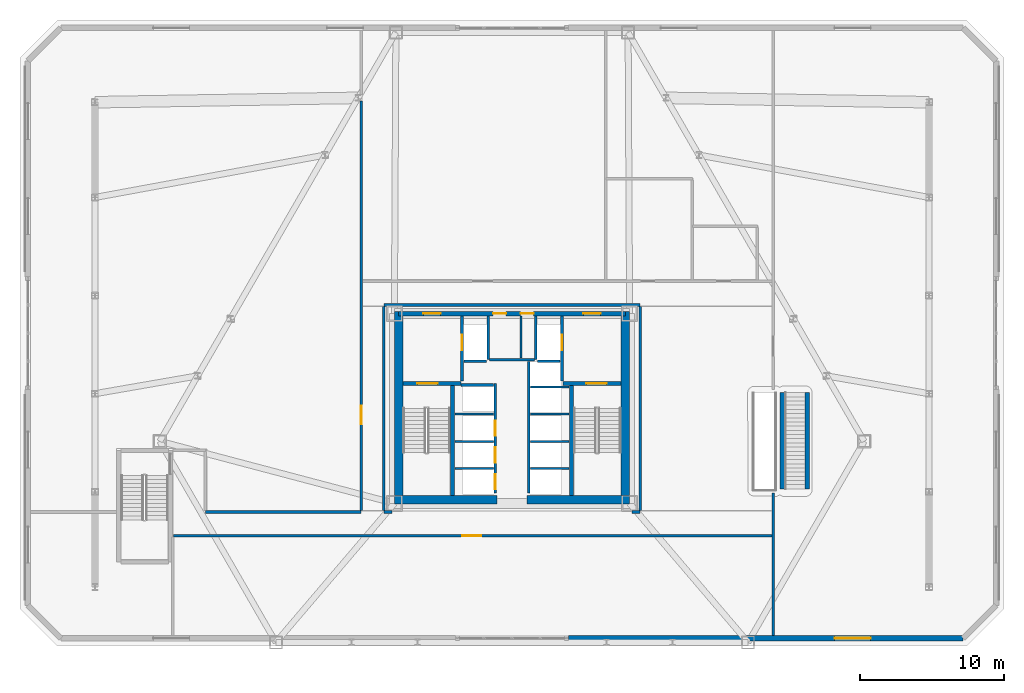
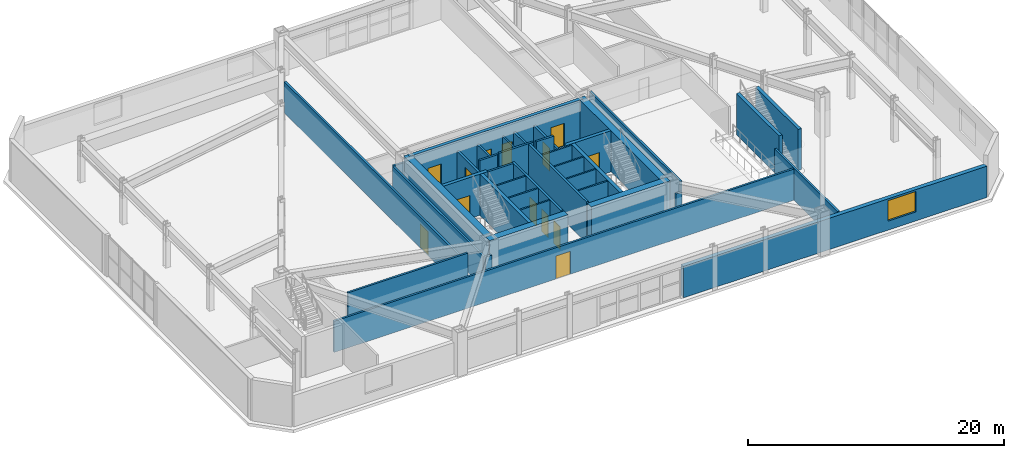
# One storey, part 14 of 22: 39 walls, 13 doors, 1 window, 14 openings.
"""IFC4 building model written with IfcOpenShell, lengths in metres."""

from ifc_helpers import new_model, si_unit, direction, frame, frame_2d, origin, place, context, subcontext, project, spatial, rectangle, extrude, material, layer, layer_set, type_object, element, fill, save


model = new_model("IFC4")

# Units and contexts
model_context = context("Model", 3, precision=1e-05, world=origin(), true_north=direction((0.0, 1.0)))
body_context = subcontext(model_context, "Body", "Model", "MODEL_VIEW")
ifc_project = project(units=[si_unit("LENGTHUNIT", "METRE"), si_unit("AREAUNIT", "SQUARE_METRE"), si_unit("VOLUMEUNIT", "CUBIC_METRE"), si_unit("PLANEANGLEUNIT", "RADIAN"), si_unit("MASSUNIT", "GRAM", prefix="KILO")], contexts=[model_context])

# Site, building, storey
site_placement = place(None, origin())
site = spatial("IfcSite", under=ifc_project, at=site_placement, CompositionType="ELEMENT")
building_placement = place(site_placement, origin())
building = spatial("IfcBuilding", under=site, at=building_placement, Name="Oramaril Tower", CompositionType="ELEMENT")
storey_placement = place(building_placement, frame((0.0, 0.0, 14.10009765625)))
storey = spatial("IfcBuildingStorey", under=building, at=storey_placement, Name="L03", CompositionType="ELEMENT", Elevation=14.10009765625)

# Wall, opening, window
ifc_material_1 = material(Name="Warm Cream Limestone", Category="masonry")
ifc_layer_1 = layer(ifc_material_1, 0.3798828125)
ifc_layer_set_1 = layer_set([ifc_layer_1], Name="WT-EXT38")
wall_type_1 = type_object("IfcWallType", Name="WT-EXT38", PredefinedType="SOLIDWALL", material=ifc_layer_set_1)
wall_1_placement = place(storey_placement, frame((41.39990234375, 1.64990234375, 0.0), z_axis=(0.0, 0.0, 1.0), x_axis=(1.0, 0.0, 0.0)))
wall_1 = element("IfcWall", 1, at=wall_1_placement, inside=storey, type_object=wall_type_1, Name="L03 Limestone Facade Wall EW-1B", PredefinedType="SOLIDWALL", context=body_context, shape_type="SweptSolid", body=[
    extrude(rectangle(XDim=27.372314453125, YDim=0.3798828125, at=frame_2d((13.68603515625, 0.0))), origin(), (0.0, 0.0, 1.0), 2.98291015625),
])
opening_1_placement = place(wall_1_placement, frame((18.4580078125, 0.0, 0.85009765625)))
opening_1 = element("IfcOpeningElement", 2, at=opening_1_placement, cuts=wall_1, Name="Opening WN-11", PredefinedType="OPENING", context=body_context, shape_type="SweptSolid", body=[
    extrude(rectangle(XDim=2.5, YDim=1.962890625, at=frame_2d((1.25, 0.9814453125))), frame((0.0, 0.18994140625, 0.0), z_axis=(0.0, -1.0, 0.0), x_axis=(1.0, 0.0, 0.0)), (0.0, 0.0, 1.0), 0.3798828125),
])
ifc_material_2 = material(Name="Coastal Low-E Insulated Glass", Category="glass")
window_type = type_object("IfcWindowType", Name="WNT-11", PartitioningType="SINGLE_PANEL", PredefinedType="WINDOW", material=ifc_material_2)
window_placement = place(opening_1_placement, origin())
window = element("IfcWindow", 3, at=window_placement, inside=storey, type_object=window_type, Name="L03 Podium Chicago Window", OverallHeight=1.962890625, OverallWidth=2.5, PartitioningType="SINGLE_PANEL", PredefinedType="WINDOW", context=body_context, shape_type="SweptSolid", body=[
    extrude(rectangle(XDim=2.5, YDim=1.962890625, at=frame_2d((1.25, 0.9814453125))), frame((0.0, 0.030029296875, 0.0), z_axis=(0.0, -1.0, 0.0), x_axis=(1.0, 0.0, 0.0)), (0.0, 0.0, 1.0), 0.06005859375),
])
fill(opening_1, window)

# Walls
ifc_material_3 = material(Name="Acoustic Gypsum Board Partition")
ifc_layer_2 = layer(ifc_material_3, 0.139892578125)
ifc_layer_set_2 = layer_set([ifc_layer_2], Name="WT-PT14")
wall_type_2 = type_object("IfcWallType", Name="WT-PT14", PredefinedType="PARTITIONING", material=ifc_layer_set_2)
for number, where, z_axis, x_axis, name in (
    (4, (33.56005859375, 13.419921875, 0.0), (0.0, 0.0, 1.0), (1.0, 0.0, 0.0), "L03 West Lift Divider"),
    (5, (33.56005859375, 15.27001953125, 0.0), (0.0, 0.0, 1.0), (1.0, 0.0, 0.0), "L03 West Lift Divider"),
    (6, (33.56005859375, 17.199951171875, 0.0), (0.0, 0.0, 1.0), (1.0, 0.0, 0.0), "L03 West Lift Divider"),
    (7, (38.780029296875, 13.419921875, 0.0), (0.0, 0.0, 1.0), (1.0, 0.0, 0.0), "L03 East Lift Divider"),
    (8, (38.780029296875, 15.27001953125, 0.0), (0.0, 0.0, 1.0), (1.0, 0.0, 0.0), "L03 East Lift Divider"),
    (9, (38.780029296875, 17.199951171875, 0.0), (0.0, 0.0, 1.0), (1.0, 0.0, 0.0), "L03 East Lift Divider"),
    (10, (38.780029296875, 19.050048828125, 0.0), (0.0, 0.0, 1.0), (1.0, 0.0, 0.0), "L03 East Lift Divider"),
):
    element("IfcWall", number, at=place(storey_placement, frame(where, z_axis=z_axis, x_axis=x_axis)), inside=storey, type_object=wall_type_2, Name=name, PredefinedType="PARTITIONING", context=body_context, shape_type="SweptSolid", body=[
        extrude(rectangle(XDim=2.659912109375, YDim=0.139892578125, at=frame_2d((1.330078125, 0.0))), origin(), (0.0, 0.0, 1.0), 3.919921875),
    ])
wall_2_placement = place(storey_placement, frame((38.110107421875, 21.06005859375, 0.0), z_axis=(0.0, 0.0, 1.0), x_axis=(0.0, 1.0, 0.0)))
element("IfcWall", 11, at=wall_2_placement, inside=storey, type_object=wall_type_2, Name="L03 Core Service Divider", PredefinedType="PARTITIONING", context=body_context, shape_type="SweptSolid", body=[
    extrude(rectangle(XDim=2.919921875, YDim=0.139892578125, at=frame_2d((1.4599609375, 0.0))), origin(), (0.0, 0.0, 1.0), 2.9599609375),
])
ifc_material_4 = material(Name="Autoclaved Cellular Concrete Block", Category="concrete")
ifc_layer_3 = layer(ifc_material_4, 0.179931640625)
ifc_layer_set_3 = layer_set([ifc_layer_3], Name="WT-PT18")
wall_type_3 = type_object("IfcWallType", Name="WT-PT18", PredefinedType="PARTITIONING", material=ifc_layer_set_3)
wall_3_placement = place(storey_placement, frame((35.840087890625, 20.9599609375, 0.0), z_axis=(0.0, 0.0, 1.0), x_axis=(0.0, 1.0, 0.0)))
element("IfcWall", 12, at=wall_3_placement, inside=storey, type_object=wall_type_3, Name="L03 FL-1 East Shaft Wall", PredefinedType="PARTITIONING", context=body_context, shape_type="SweptSolid", body=[
    extrude(rectangle(XDim=3.02001953125, YDim=0.179931640625, at=frame_2d((1.510009765625, 0.0))), origin(), (0.0, 0.0, 1.0), 2.9599609375),
])
wall_4_placement = place(storey_placement, frame((34.159912109375, 20.860107421875, 0.0), z_axis=(0.0, 0.0, 1.0), x_axis=(1.0, 0.0, 0.0)))
element("IfcWall", 13, at=wall_4_placement, inside=storey, type_object=wall_type_3, Name="L03 FL-1 South Shaft Wall", PredefinedType="PARTITIONING", context=body_context, shape_type="SweptSolid", body=[
    extrude(rectangle(XDim=1.580078125, YDim=0.179931640625, at=frame_2d((0.7900390625, 0.0))), origin(), (0.0, 0.0, 1.0), 3.919921875),
])
wall_5_placement = place(storey_placement, frame((39.159912109375, 20.9599609375, 0.0), z_axis=(0.0, 0.0, 1.0), x_axis=(0.0, 1.0, 0.0)))
element("IfcWall", 14, at=wall_5_placement, inside=storey, type_object=wall_type_3, Name="L03 FL-2 West Shaft Wall", PredefinedType="PARTITIONING", context=body_context, shape_type="SweptSolid", body=[
    extrude(rectangle(XDim=3.02001953125, YDim=0.179931640625, at=frame_2d((1.510009765625, 0.0))), origin(), (0.0, 0.0, 1.0), 2.9599609375),
])
wall_6_placement = place(storey_placement, frame((39.260009765625, 20.860107421875, 0.0), z_axis=(0.0, 0.0, 1.0), x_axis=(1.0, 0.0, 0.0)))
element("IfcWall", 15, at=wall_6_placement, inside=storey, type_object=wall_type_3, Name="L03 FL-2 South Shaft Wall", PredefinedType="PARTITIONING", context=body_context, shape_type="SweptSolid", body=[
    extrude(rectangle(XDim=1.580078125, YDim=0.179931640625, at=frame_2d((0.7900390625, 0.0))), origin(), (0.0, 0.0, 1.0), 3.919921875),
])
wall_7_placement = place(storey_placement, frame((33.949951171875, 19.199951171875, 0.0), z_axis=(0.0, 0.0, 1.0), x_axis=(1.0, 0.0, 0.0)))
element("IfcWall", 16, at=wall_7_placement, inside=storey, type_object=wall_type_3, Name="L03 High-Rise Lift H1 North Shaft Wall", PredefinedType="PARTITIONING", context=body_context, shape_type="SweptSolid", body=[
    extrude(rectangle(XDim=2.27001953125, YDim=0.179931640625, at=frame_2d((1.135009765625, 0.0))), origin(), (0.0, 0.0, 1.0), 3.919921875),
])
wall_8_placement = place(storey_placement, frame((35.949951171875, 20.949951171875, 0.0), z_axis=(0.0, 0.0, 1.0), x_axis=(1.0, 0.0, 0.0)))
element("IfcWall", 17, at=wall_8_placement, inside=storey, type_object=wall_type_3, Name="L03 Lift Lobby North Partition", PredefinedType="PARTITIONING", context=body_context, shape_type="SweptSolid", body=[
    extrude(rectangle(XDim=3.10009765625, YDim=0.179931640625, at=frame_2d((1.550048828125, 0.0))), origin(), (0.0, 0.0, 1.0), 3.919921875),
])

# Wall, opening, door
wall_9_placement = place(storey_placement, frame((14.030029296875, 8.75, 0.0), z_axis=(0.0, 0.0, 1.0), x_axis=(1.0, 0.0, 0.0)))
wall_9 = element("IfcWall", 18, at=wall_9_placement, inside=storey, type_object=wall_type_3, Name="L03 Interior Partition PT-18", PredefinedType="PARTITIONING", context=body_context, shape_type="SweptSolid", body=[
    extrude(rectangle(XDim=41.570068359375, YDim=0.179931640625, at=frame_2d((20.78515625, 0.0))), origin(), (0.0, 0.0, 1.0), 2.98291015625),
])
opening_2_placement = place(wall_9_placement, frame((20.034912109375, 0.0, 0.0)))
opening_2 = element("IfcOpeningElement", 19, at=opening_2_placement, cuts=wall_9, Name="Opening D-L03-01", PredefinedType="OPENING", context=body_context, shape_type="SweptSolid", body=[
    extrude(rectangle(XDim=1.300048828125, YDim=2.199951171875, at=frame_2d((0.64990234375, 1.10009765625))), frame((0.0, 0.08984375, 0.0), z_axis=(0.0, -1.0, 0.0), x_axis=(1.0, 0.0, 0.0)), (0.0, 0.0, 1.0), 0.179931640625),
])
ifc_material_5 = material(Name="FSC Brazilian Freijo Hardwood", Category="wood")
door_type_1 = type_object("IfcDoorType", Name="DT-COM", OperationType="NOTDEFINED", PredefinedType="DOOR", material=ifc_material_5)
door_1_placement = place(opening_2_placement, origin())
door_1 = element("IfcDoor", 20, at=door_1_placement, inside=storey, type_object=door_type_1, Name="L03 L03 Coastal Fitness Studio and Gym Door D-L03-01", OperationType="SINGLE_SWING_LEFT", OverallHeight=2.199951171875, OverallWidth=1.300048828125, PredefinedType="DOOR", context=body_context, shape_type="SweptSolid", body=[
    extrude(rectangle(XDim=1.300048828125, YDim=2.199951171875, at=frame_2d((0.64990234375, 1.10009765625))), frame((0.0, 0.02490234375, 0.0), z_axis=(0.0, -1.0, 0.0), x_axis=(1.0, 0.0, 0.0)), (0.0, 0.0, 1.0), 0.050048828125),
])
fill(opening_2, door_1)

# Walls
wall_10_placement = place(storey_placement, frame((16.25, 10.39990234375, 0.0), z_axis=(0.0, 0.0, 1.0), x_axis=(1.0, 0.0, 0.0)))
element("IfcWall", 21, at=wall_10_placement, inside=storey, type_object=wall_type_3, Name="L03 Interior Partition PT-18", PredefinedType="PARTITIONING", context=body_context, shape_type="SweptSolid", body=[
    extrude(rectangle(XDim=10.800048828125, YDim=0.179931640625, at=frame_2d((5.39990234375, 0.0))), origin(), (0.0, 0.0, 1.0), 3.919921875),
])
for number, where, z_axis, x_axis, name in (
    (22, (28.6201171875, 10.39990234375, 0.0), (0.0, 0.0, 1.0), (1.0, 0.0, 0.0), "L03 Interior Partition PT-18"),
    (23, (45.800048828125, 10.39990234375, 0.0), (0.0, 0.0, 1.0), (1.0, 0.0, 0.0), "L03 Interior Partition PT-18"),
):
    element("IfcWall", number, at=place(storey_placement, frame(where, z_axis=z_axis, x_axis=x_axis)), inside=storey, type_object=wall_type_3, Name=name, PredefinedType="PARTITIONING", context=body_context, shape_type="SweptSolid", body=[
        extrude(rectangle(XDim=0.579833984375, YDim=0.179931640625, at=frame_2d((0.2900390625, 0.0))), origin(), (0.0, 0.0, 1.0), 2.98291015625),
    ])
wall_11_placement = place(storey_placement, frame((28.6201171875, 24.75, 0.0), z_axis=(0.0, 0.0, 1.0), x_axis=(1.0, 0.0, 0.0)))
element("IfcWall", 24, at=wall_11_placement, inside=storey, type_object=wall_type_3, Name="L03 Interior Partition PT-18", PredefinedType="PARTITIONING", context=body_context, shape_type="SweptSolid", body=[
    extrude(rectangle(XDim=17.759765625, YDim=0.179931640625, at=frame_2d((8.8798828125, 0.0))), origin(), (0.0, 0.0, 1.0), 2.98291015625),
])

# Wall, opening, door
wall_12_placement = place(storey_placement, frame((27.050048828125, 10.493896484375, 0.0), z_axis=(0.0, 0.0, 1.0), x_axis=(0.0, 1.0, 0.0)))
wall_12 = element("IfcWall", 25, at=wall_12_placement, inside=storey, type_object=wall_type_3, Name="L03 Interior Partition PT-18", PredefinedType="PARTITIONING", context=body_context, shape_type="SweptSolid", body=[
    extrude(rectangle(XDim=28.3857421875, YDim=0.179931640625, at=frame_2d((14.19287109375, 0.0))), origin(), (0.0, 0.0, 1.0), 2.98291015625),
])
opening_3_placement = place(wall_12_placement, frame((5.9853515625, 0.0, 0.0)))
opening_3 = element("IfcOpeningElement", 26, at=opening_3_placement, cuts=wall_12, Name="Opening D-L03-05", PredefinedType="OPENING", context=body_context, shape_type="SweptSolid", body=[
    extrude(rectangle(XDim=1.300048828125, YDim=2.199951171875, at=frame_2d((0.64990234375, 1.10009765625))), frame((0.0, 0.08984375, 0.0), z_axis=(0.0, -1.0, 0.0), x_axis=(1.0, 0.0, 0.0)), (0.0, 0.0, 1.0), 0.179931640625),
])
door_2_placement = place(opening_3_placement, origin())
door_2 = element("IfcDoor", 27, at=door_2_placement, inside=storey, type_object=door_type_1, Name="L03 L03 Hydrotherapy Spa Suite Door D-L03-05", OperationType="SINGLE_SWING_LEFT", OverallHeight=2.199951171875, OverallWidth=1.300048828125, PredefinedType="DOOR", context=body_context, shape_type="SweptSolid", body=[
    extrude(rectangle(XDim=1.300048828125, YDim=2.199951171875, at=frame_2d((0.64990234375, 1.10009765625))), frame((0.0, 0.02490234375, 0.0), z_axis=(0.0, -1.0, 0.0), x_axis=(1.0, 0.0, 0.0)), (0.0, 0.0, 1.0), 0.050048828125),
])
fill(opening_3, door_2)

# Walls
wall_13_placement = place(storey_placement, frame((28.6201171875, 10.493896484375, 0.0), z_axis=(0.0, 0.0, 1.0), x_axis=(0.0, 1.0, 0.0)))
element("IfcWall", 28, at=wall_13_placement, inside=storey, type_object=wall_type_3, Name="L03 Interior Partition PT-18", PredefinedType="PARTITIONING", context=body_context, shape_type="SweptSolid", body=[
    extrude(rectangle(XDim=14.162109375, YDim=0.179931640625, at=frame_2d((7.0810546875, 0.0))), origin(), (0.0, 0.0, 1.0), 2.98291015625),
])
wall_14_placement = place(storey_placement, frame((46.3798828125, 10.493896484375, 0.0), z_axis=(0.0, 0.0, 1.0), x_axis=(0.0, 1.0, 0.0)))
element("IfcWall", 29, at=wall_14_placement, inside=storey, type_object=wall_type_3, Name="L03 Interior Partition PT-18", PredefinedType="PARTITIONING", context=body_context, shape_type="SweptSolid", body=[
    extrude(rectangle(XDim=14.162109375, YDim=0.179931640625, at=frame_2d((7.0810546875, 0.0))), origin(), (0.0, 0.0, 1.0), 3.919921875),
])
wall_15_placement = place(storey_placement, frame((55.60009765625, 1.843994140625, 0.0), z_axis=(0.0, 0.0, 1.0), x_axis=(0.0, 1.0, 0.0)))
element("IfcWall", 30, at=wall_15_placement, inside=storey, type_object=wall_type_3, Name="L03 Interior Partition PT-18", PredefinedType="PARTITIONING", context=body_context, shape_type="SweptSolid", body=[
    extrude(rectangle(XDim=9.885986328125, YDim=0.179931640625, at=frame_2d((4.94287109375, 0.0))), origin(), (0.0, 0.0, 1.0), 3.053955078125),
])

# Wall, openings, doors
ifc_material_6 = material(Name="Concrete C50/60", Category="concrete")
ifc_layer_4 = layer(ifc_material_6, 0.300048828125)
ifc_layer_set_4 = layer_set([ifc_layer_4], Name="WT-SH30")
wall_type_4 = type_object("IfcWallType", Name="WT-SH30", PredefinedType="SHEAR", material=ifc_layer_set_4)
wall_16_placement = place(storey_placement, frame((29.64990234375, 24.14990234375, 0.0), z_axis=(0.0, 0.0, 1.0), x_axis=(1.0, 0.0, 0.0)))
wall_16 = element("IfcWall", 31, at=wall_16_placement, inside=storey, type_object=wall_type_4, Name="L03 Core Shear Wall CW-N", PredefinedType="SHEAR", context=body_context, shape_type="SweptSolid", body=[
    extrude(rectangle(XDim=15.7001953125, YDim=0.300048828125, at=frame_2d((7.85009765625, 0.0))), origin(), (0.0, 0.0, 1.0), 3.919921875),
])
opening_4_placement = place(wall_16_placement, frame((1.699951171875, 0.0, 0.0)))
opening_4 = element("IfcOpeningElement", 32, at=opening_4_placement, cuts=wall_16, Name="Opening D-L03-FFL1", PredefinedType="OPENING", context=body_context, shape_type="SweptSolid", body=[
    extrude(rectangle(XDim=1.199951171875, YDim=2.199951171875, at=frame_2d((0.60009765625, 1.10009765625))), frame((0.0, 0.14990234375, 0.0), z_axis=(0.0, -1.0, 0.0), x_axis=(1.0, 0.0, 0.0)), (0.0, 0.0, 1.0), 0.300048828125),
])
opening_5_placement = place(wall_16_placement, frame((12.800048828125, 0.0, 0.0)))
opening_5 = element("IfcOpeningElement", 33, at=opening_5_placement, cuts=wall_16, Name="Opening D-L03-FFL2", PredefinedType="OPENING", context=body_context, shape_type="SweptSolid", body=[
    extrude(rectangle(XDim=1.199951171875, YDim=2.199951171875, at=frame_2d((0.60009765625, 1.10009765625))), frame((0.0, 0.14990234375, 0.0), z_axis=(0.0, -1.0, 0.0), x_axis=(1.0, 0.0, 0.0)), (0.0, 0.0, 1.0), 0.300048828125),
])
opening_6_placement = place(wall_16_placement, frame((6.550048828125, 0.0, 0.0)))
opening_6 = element("IfcOpeningElement", 34, at=opening_6_placement, cuts=wall_16, Name="Opening D-L03-SV1", PredefinedType="OPENING", context=body_context, shape_type="SweptSolid", body=[
    extrude(rectangle(XDim=0.89990234375, YDim=2.050048828125, at=frame_2d((0.449951171875, 1.02490234375))), frame((0.0, 0.14990234375, 0.0), z_axis=(0.0, -1.0, 0.0), x_axis=(1.0, 0.0, 0.0)), (0.0, 0.0, 1.0), 0.300048828125),
])
opening_7_placement = place(wall_16_placement, frame((8.449951171875, 0.0, 0.0)))
opening_7 = element("IfcOpeningElement", 35, at=opening_7_placement, cuts=wall_16, Name="Opening D-L03-SV2", PredefinedType="OPENING", context=body_context, shape_type="SweptSolid", body=[
    extrude(rectangle(XDim=0.89990234375, YDim=2.050048828125, at=frame_2d((0.449951171875, 1.02490234375))), frame((0.0, 0.14990234375, 0.0), z_axis=(0.0, -1.0, 0.0), x_axis=(1.0, 0.0, 0.0)), (0.0, 0.0, 1.0), 0.300048828125),
])
ifc_material_7 = material(Name="Painted Galvanised Steel", Category="steel")
door_type_2 = type_object("IfcDoorType", Name="DT-FFL", OperationType="NOTDEFINED", PredefinedType="DOOR", material=ifc_material_7)
door_3_placement = place(opening_4_placement, origin())
door_3 = element("IfcDoor", 36, at=door_3_placement, inside=storey, type_object=door_type_2, Name="L03 Firefighting Lobby 1 Fire Door", OperationType="SINGLE_SWING_LEFT", OverallHeight=2.199951171875, OverallWidth=1.199951171875, PredefinedType="DOOR", context=body_context, shape_type="SweptSolid", body=[
    extrude(rectangle(XDim=1.199951171875, YDim=2.199951171875, at=frame_2d((0.60009765625, 1.10009765625))), frame((0.0, 0.02490234375, 0.0), z_axis=(0.0, -1.0, 0.0), x_axis=(1.0, 0.0, 0.0)), (0.0, 0.0, 1.0), 0.050048828125),
])
fill(opening_4, door_3)
door_4_placement = place(opening_5_placement, origin())
door_4 = element("IfcDoor", 37, at=door_4_placement, inside=storey, type_object=door_type_2, Name="L03 Firefighting Lobby 2 Fire Door", OperationType="SINGLE_SWING_RIGHT", OverallHeight=2.199951171875, OverallWidth=1.199951171875, PredefinedType="DOOR", context=body_context, shape_type="SweptSolid", body=[
    extrude(rectangle(XDim=1.199951171875, YDim=2.199951171875, at=frame_2d((0.60009765625, 1.10009765625))), frame((0.0, 0.02490234375, 0.0), z_axis=(0.0, -1.0, 0.0), x_axis=(1.0, 0.0, 0.0)), (0.0, 0.0, 1.0), 0.050048828125),
])
fill(opening_5, door_4)
ifc_material_8 = material(Name="Painted Galvanised Steel", Category="steel")
door_type_3 = type_object("IfcDoorType", Name="DT-SVC", OperationType="NOTDEFINED", PredefinedType="DOOR", material=ifc_material_8)
door_5_placement = place(opening_6_placement, origin())
door_5 = element("IfcDoor", 38, at=door_5_placement, inside=storey, type_object=door_type_3, Name="L03 Core Service Store 1 Door", OperationType="SINGLE_SWING_LEFT", OverallHeight=2.050048828125, OverallWidth=0.89990234375, PredefinedType="DOOR", context=body_context, shape_type="SweptSolid", body=[
    extrude(rectangle(XDim=0.89990234375, YDim=2.050048828125, at=frame_2d((0.449951171875, 1.02490234375))), frame((0.0, 0.02490234375, 0.0), z_axis=(0.0, -1.0, 0.0), x_axis=(1.0, 0.0, 0.0)), (0.0, 0.0, 1.0), 0.050048828125),
])
fill(opening_6, door_5)
door_6_placement = place(opening_7_placement, origin())
door_6 = element("IfcDoor", 39, at=door_6_placement, inside=storey, type_object=door_type_3, Name="L03 Core Service Store 2 Door", OperationType="SINGLE_SWING_RIGHT", OverallHeight=2.050048828125, OverallWidth=0.89990234375, PredefinedType="DOOR", context=body_context, shape_type="SweptSolid", body=[
    extrude(rectangle(XDim=0.89990234375, YDim=2.050048828125, at=frame_2d((0.449951171875, 1.02490234375))), frame((0.0, 0.02490234375, 0.0), z_axis=(0.0, -1.0, 0.0), x_axis=(1.0, 0.0, 0.0)), (0.0, 0.0, 1.0), 0.050048828125),
])
fill(opening_7, door_6)

# Wall, opening, door
wall_17_placement = place(storey_placement, frame((29.93994140625, 19.31005859375, 0.0), z_axis=(0.0, 0.0, 1.0), x_axis=(1.0, 0.0, 0.0)))
wall_17 = element("IfcWall", 40, at=wall_17_placement, inside=storey, type_object=wall_type_4, Name="L03 Core Shear Wall CW-ST1N", PredefinedType="SHEAR", context=body_context, shape_type="SweptSolid", body=[
    extrude(rectangle(XDim=4.010009765625, YDim=0.300048828125, at=frame_2d((2.0048828125, 0.0))), origin(), (0.0, 0.0, 1.0), 3.919921875),
])
opening_8_placement = place(wall_17_placement, frame((1.010009765625, 0.0, 0.0)))
opening_8 = element("IfcOpeningElement", 41, at=opening_8_placement, cuts=wall_17, Name="Opening D-L03-ST1", PredefinedType="OPENING", context=body_context, shape_type="SweptSolid", body=[
    extrude(rectangle(XDim=1.39990234375, YDim=2.199951171875, at=frame_2d((0.699951171875, 1.10009765625))), frame((0.0, 0.14990234375, 0.0), z_axis=(0.0, -1.0, 0.0), x_axis=(1.0, 0.0, 0.0)), (0.0, 0.0, 1.0), 0.300048828125),
])
ifc_material_9 = material(Name="Painted Galvanised Steel", Category="steel")
door_type_4 = type_object("IfcDoorType", Name="DT-ST", OperationType="NOTDEFINED", PredefinedType="DOOR", material=ifc_material_9)
door_7_placement = place(opening_8_placement, origin())
door_7 = element("IfcDoor", 42, at=door_7_placement, inside=storey, type_object=door_type_4, Name="L03 Protected Stair ST-1 Fire Door", OperationType="SINGLE_SWING_LEFT", OverallHeight=2.199951171875, OverallWidth=1.39990234375, PredefinedType="DOOR", context=body_context, shape_type="SweptSolid", body=[
    extrude(rectangle(XDim=1.39990234375, YDim=2.199951171875, at=frame_2d((0.699951171875, 1.10009765625))), frame((0.0, 0.02490234375, 0.0), z_axis=(0.0, -1.0, 0.0), x_axis=(1.0, 0.0, 0.0)), (0.0, 0.0, 1.0), 0.050048828125),
])
fill(opening_8, door_7)

wall_18_placement = place(storey_placement, frame((41.050048828125, 19.31005859375, 0.0), z_axis=(0.0, 0.0, 1.0), x_axis=(1.0, 0.0, 0.0)))
wall_18 = element("IfcWall", 43, at=wall_18_placement, inside=storey, type_object=wall_type_4, Name="L03 Core Shear Wall CW-ST2N", PredefinedType="SHEAR", context=body_context, shape_type="SweptSolid", body=[
    extrude(rectangle(XDim=4.010009765625, YDim=0.300048828125, at=frame_2d((2.0048828125, 0.0))), origin(), (0.0, 0.0, 1.0), 3.919921875),
])
opening_9_placement = place(wall_18_placement, frame((1.60009765625, 0.0, 0.0)))
opening_9 = element("IfcOpeningElement", 44, at=opening_9_placement, cuts=wall_18, Name="Opening D-L03-ST2", PredefinedType="OPENING", context=body_context, shape_type="SweptSolid", body=[
    extrude(rectangle(XDim=1.39990234375, YDim=2.199951171875, at=frame_2d((0.699951171875, 1.10009765625))), frame((0.0, 0.14990234375, 0.0), z_axis=(0.0, -1.0, 0.0), x_axis=(1.0, 0.0, 0.0)), (0.0, 0.0, 1.0), 0.300048828125),
])
door_8_placement = place(opening_9_placement, origin())
door_8 = element("IfcDoor", 45, at=door_8_placement, inside=storey, type_object=door_type_4, Name="L03 Protected Stair ST-2 Fire Door", OperationType="SINGLE_SWING_RIGHT", OverallHeight=2.199951171875, OverallWidth=1.39990234375, PredefinedType="DOOR", context=body_context, shape_type="SweptSolid", body=[
    extrude(rectangle(XDim=1.39990234375, YDim=2.199951171875, at=frame_2d((0.699951171875, 1.10009765625))), frame((0.0, 0.02490234375, 0.0), z_axis=(0.0, -1.0, 0.0), x_axis=(1.0, 0.0, 0.0)), (0.0, 0.0, 1.0), 0.050048828125),
])
fill(opening_9, door_8)

# Walls
for number, where, z_axis, x_axis, name in (
    (46, (33.3798828125, 11.5400390625, 0.0), (0.0, 0.0, 1.0), (0.0, 1.0, 0.0), "L03 Core Shear Wall CW-ST1E"),
    (47, (41.6201171875, 11.5400390625, 0.0), (0.0, 0.0, 1.0), (0.0, 1.0, 0.0), "L03 Core Shear Wall CW-ST2W"),
):
    element("IfcWall", number, at=place(storey_placement, frame(where, z_axis=z_axis, x_axis=x_axis)), inside=storey, type_object=wall_type_4, Name=name, PredefinedType="SHEAR", context=body_context, shape_type="SweptSolid", body=[
        extrude(rectangle(XDim=7.619873046875, YDim=0.300048828125, at=frame_2d((3.81005859375, 0.0))), origin(), (0.0, 0.0, 1.0), 3.919921875),
    ])
for number, where, z_axis, x_axis, name in (
    (48, (56.235107421875, 12.0, 0.0), (0.0, 0.0, 1.0), (0.0, 1.0, 0.0), "L03 Feature Stair ST-6 Support Wall L"),
    (49, (57.965087890625, 12.0, 0.0), (0.0, 0.0, 1.0), (0.0, 1.0, 0.0), "L03 Feature Stair ST-6 Support Wall R"),
):
    element("IfcWall", number, at=place(storey_placement, frame(where, z_axis=z_axis, x_axis=x_axis)), inside=storey, type_object=wall_type_4, Name=name, PredefinedType="SHEAR", context=body_context, shape_type="SweptSolid", body=[
        extrude(rectangle(XDim=6.669921875, YDim=0.300048828125, at=frame_2d((3.3349609375, 0.0))), origin(), (0.0, 0.0, 1.0), 3.919921875),
    ])
ifc_material_10 = material(Name="Concrete C50/60", Category="concrete")
ifc_layer_5 = layer(ifc_material_10, 0.60009765625)
ifc_layer_set_5 = layer_set([ifc_layer_5], Name="WT-SH60")
wall_type_5 = type_object("IfcWallType", Name="WT-SH60", PredefinedType="SHEAR", material=ifc_layer_set_5)
for number, where, z_axis, x_axis, name in (
    (50, (29.639892578125, 11.0, 0.0), (0.0, 0.0, 1.0), (0.0, 1.0, 0.0), "L03 Core Shear Wall CW-W"),
    (51, (45.360107421875, 11.0, 0.0), (0.0, 0.0, 1.0), (0.0, 1.0, 0.0), "L03 Core Shear Wall CW-E"),
):
    element("IfcWall", number, at=place(storey_placement, frame(where, z_axis=z_axis, x_axis=x_axis)), inside=storey, type_object=wall_type_5, Name=name, PredefinedType="SHEAR", context=body_context, shape_type="SweptSolid", body=[
        extrude(rectangle(XDim=13.300048828125, YDim=0.60009765625, at=frame_2d((6.64990234375, 0.0))), origin(), (0.0, 0.0, 1.0), 3.919921875),
    ])
for number, where, z_axis, x_axis, name in (
    (52, (29.35009765625, 11.239990234375, 0.0), (0.0, 0.0, 1.0), (1.0, 0.0, 0.0), "L03 Core Shear Wall CW-SW"),
    (53, (38.550048828125, 11.239990234375, 0.0), (0.0, 0.0, 1.0), (1.0, 0.0, 0.0), "L03 Core Shear Wall CW-SE"),
):
    element("IfcWall", number, at=place(storey_placement, frame(where, z_axis=z_axis, x_axis=x_axis)), inside=storey, type_object=wall_type_5, Name=name, PredefinedType="SHEAR", context=body_context, shape_type="SweptSolid", body=[
        extrude(rectangle(XDim=7.099853515625, YDim=0.60009765625, at=frame_2d((3.5498046875, 0.0))), origin(), (0.0, 0.0, 1.0), 3.919921875),
    ])

# Wall, opening, door
ifc_material_11 = material(Name="Autoclaved Cellular Concrete Block", Category="concrete")
ifc_layer_6 = layer(ifc_material_11, 0.199951171875)
ifc_layer_set_6 = layer_set([ifc_layer_6], Name="WT-SHF20")
wall_type_6 = type_object("IfcWallType", Name="WT-SHF20", PredefinedType="PARTITIONING", material=ifc_layer_set_6)
wall_19_placement = place(storey_placement, frame((34.0400390625, 19.47998046875, 0.0), z_axis=(0.0, 0.0, 1.0), x_axis=(0.0, 1.0, 0.0)))
wall_19 = element("IfcWall", 54, at=wall_19_placement, inside=storey, type_object=wall_type_6, Name="L03 FL-1 Lobby Shaft Wall", PredefinedType="PARTITIONING", context=body_context, shape_type="SweptSolid", body=[
    extrude(rectangle(XDim=4.5, YDim=0.199951171875, at=frame_2d((2.25, 0.0))), origin(), (0.0, 0.0, 1.0), 2.9599609375),
])
opening_10_placement = place(wall_19_placement, frame((2.1201171875, 0.0, 0.0)))
opening_10 = element("IfcOpeningElement", 55, at=opening_10_placement, cuts=wall_19, Name="Opening LD-L03-FL-1", PredefinedType="OPENING", context=body_context, shape_type="SweptSolid", body=[
    extrude(rectangle(XDim=1.10009765625, YDim=2.199951171875, at=frame_2d((0.550048828125, 1.10009765625))), frame((0.0, 0.10009765625, 0.0), z_axis=(0.0, -1.0, 0.0), x_axis=(1.0, 0.0, 0.0)), (0.0, 0.0, 1.0), 0.199951171875),
])
ifc_material_12 = material(Name="Stainless Steel 316L", Category="steel")
door_type_5 = type_object("IfcDoorType", Name="DT-LD1", OperationType="NOTDEFINED", PredefinedType="DOOR", material=ifc_material_12)
door_9_placement = place(opening_10_placement, origin())
door_9 = element("IfcDoor", 56, at=door_9_placement, inside=storey, type_object=door_type_5, Name="L03 Lift FL-1 Sliding Landing Door", OperationType="SLIDING_TO_LEFT", OverallHeight=2.199951171875, OverallWidth=1.10009765625, PredefinedType="DOOR", context=body_context, shape_type="SweptSolid", body=[
    extrude(rectangle(XDim=1.10009765625, YDim=2.199951171875, at=frame_2d((0.550048828125, 1.10009765625))), frame((0.0, 0.02490234375, 0.0), z_axis=(0.0, -1.0, 0.0), x_axis=(1.0, 0.0, 0.0)), (0.0, 0.0, 1.0), 0.050048828125),
])
fill(opening_10, door_9)

wall_20_placement = place(storey_placement, frame((40.9599609375, 19.47998046875, 0.0), z_axis=(0.0, 0.0, 1.0), x_axis=(0.0, 1.0, 0.0)))
wall_20 = element("IfcWall", 57, at=wall_20_placement, inside=storey, type_object=wall_type_6, Name="L03 FL-2 Lobby Shaft Wall", PredefinedType="PARTITIONING", context=body_context, shape_type="SweptSolid", body=[
    extrude(rectangle(XDim=4.5, YDim=0.199951171875, at=frame_2d((2.25, 0.0))), origin(), (0.0, 0.0, 1.0), 2.9599609375),
])
opening_11_placement = place(wall_20_placement, frame((2.1201171875, 0.0, 0.0)))
opening_11 = element("IfcOpeningElement", 58, at=opening_11_placement, cuts=wall_20, Name="Opening LD-L03-FL-2", PredefinedType="OPENING", context=body_context, shape_type="SweptSolid", body=[
    extrude(rectangle(XDim=1.10009765625, YDim=2.199951171875, at=frame_2d((0.550048828125, 1.10009765625))), frame((0.0, 0.10009765625, 0.0), z_axis=(0.0, -1.0, 0.0), x_axis=(1.0, 0.0, 0.0)), (0.0, 0.0, 1.0), 0.199951171875),
])
door_10_placement = place(opening_11_placement, origin())
door_10 = element("IfcDoor", 59, at=door_10_placement, inside=storey, type_object=door_type_5, Name="L03 Lift FL-2 Sliding Landing Door", OperationType="SLIDING_TO_RIGHT", OverallHeight=2.199951171875, OverallWidth=1.10009765625, PredefinedType="DOOR", context=body_context, shape_type="SweptSolid", body=[
    extrude(rectangle(XDim=1.10009765625, YDim=2.199951171875, at=frame_2d((0.550048828125, 1.10009765625))), frame((0.0, 0.02490234375, 0.0), z_axis=(0.0, -1.0, 0.0), x_axis=(1.0, 0.0, 0.0)), (0.0, 0.0, 1.0), 0.050048828125),
])
fill(opening_11, door_10)

# Wall, openings, doors
wall_21_placement = place(storey_placement, frame((36.340087890625, 11.719970703125, 0.0), z_axis=(0.0, 0.0, 1.0), x_axis=(0.0, 1.0, 0.0)))
wall_21 = element("IfcWall", 60, at=wall_21_placement, inside=storey, type_object=wall_type_6, Name="L03 West Lift Bank Front Wall", PredefinedType="PARTITIONING", context=body_context, shape_type="SweptSolid", body=[
    extrude(rectangle(XDim=7.60009765625, YDim=0.199951171875, at=frame_2d((3.800048828125, 0.0))), origin(), (0.0, 0.0, 1.0), 3.919921875),
])
opening_12_placement = place(wall_21_placement, frame((0.2548828125, 0.0, 0.0)))
opening_12 = element("IfcOpeningElement", 61, at=opening_12_placement, cuts=wall_21, Name="Opening LD-L03-LP-L1", PredefinedType="OPENING", context=body_context, shape_type="SweptSolid", body=[
    extrude(rectangle(XDim=1.050048828125, YDim=2.14990234375, at=frame_2d((0.52490234375, 1.074951171875))), frame((0.0, 0.10009765625, 0.0), z_axis=(0.0, -1.0, 0.0), x_axis=(1.0, 0.0, 0.0)), (0.0, 0.0, 1.0), 0.199951171875),
])
opening_13_placement = place(wall_21_placement, frame((2.10498046875, 0.0, 0.0)))
opening_13 = element("IfcOpeningElement", 62, at=opening_13_placement, cuts=wall_21, Name="Opening LD-L03-LP-L2", PredefinedType="OPENING", context=body_context, shape_type="SweptSolid", body=[
    extrude(rectangle(XDim=1.050048828125, YDim=2.14990234375, at=frame_2d((0.52490234375, 1.074951171875))), frame((0.0, 0.10009765625, 0.0), z_axis=(0.0, -1.0, 0.0), x_axis=(1.0, 0.0, 0.0)), (0.0, 0.0, 1.0), 0.199951171875),
])
opening_14_placement = place(wall_21_placement, frame((3.955078125, 0.0, 0.0)))
opening_14 = element("IfcOpeningElement", 63, at=opening_14_placement, cuts=wall_21, Name="Opening LD-L03-LP-L3", PredefinedType="OPENING", context=body_context, shape_type="SweptSolid", body=[
    extrude(rectangle(XDim=1.050048828125, YDim=2.14990234375, at=frame_2d((0.52490234375, 1.074951171875))), frame((0.0, 0.10009765625, 0.0), z_axis=(0.0, -1.0, 0.0), x_axis=(1.0, 0.0, 0.0)), (0.0, 0.0, 1.0), 0.199951171875),
])
ifc_material_13 = material(Name="Stainless Steel 316L", Category="steel")
door_type_6 = type_object("IfcDoorType", Name="DT-LD2", OperationType="NOTDEFINED", PredefinedType="DOOR", material=ifc_material_13)
door_11_placement = place(opening_12_placement, origin())
door_11 = element("IfcDoor", 64, at=door_11_placement, inside=storey, type_object=door_type_6, Name="L03 Lift LP-L1 Sliding Landing Door", OperationType="SLIDING_TO_LEFT", OverallHeight=2.14990234375, OverallWidth=1.050048828125, PredefinedType="DOOR", context=body_context, shape_type="SweptSolid", body=[
    extrude(rectangle(XDim=1.050048828125, YDim=2.14990234375, at=frame_2d((0.52490234375, 1.074951171875))), frame((0.0, 0.02490234375, 0.0), z_axis=(0.0, -1.0, 0.0), x_axis=(1.0, 0.0, 0.0)), (0.0, 0.0, 1.0), 0.050048828125),
])
fill(opening_12, door_11)
door_12_placement = place(opening_13_placement, origin())
door_12 = element("IfcDoor", 65, at=door_12_placement, inside=storey, type_object=door_type_6, Name="L03 Lift LP-L2 Sliding Landing Door", OperationType="SLIDING_TO_RIGHT", OverallHeight=2.14990234375, OverallWidth=1.050048828125, PredefinedType="DOOR", context=body_context, shape_type="SweptSolid", body=[
    extrude(rectangle(XDim=1.050048828125, YDim=2.14990234375, at=frame_2d((0.52490234375, 1.074951171875))), frame((0.0, 0.02490234375, 0.0), z_axis=(0.0, -1.0, 0.0), x_axis=(1.0, 0.0, 0.0)), (0.0, 0.0, 1.0), 0.050048828125),
])
fill(opening_13, door_12)
door_13_placement = place(opening_14_placement, origin())
door_13 = element("IfcDoor", 66, at=door_13_placement, inside=storey, type_object=door_type_6, Name="L03 Lift LP-L3 Sliding Landing Door", OperationType="SLIDING_TO_LEFT", OverallHeight=2.14990234375, OverallWidth=1.050048828125, PredefinedType="DOOR", context=body_context, shape_type="SweptSolid", body=[
    extrude(rectangle(XDim=1.050048828125, YDim=2.14990234375, at=frame_2d((0.52490234375, 1.074951171875))), frame((0.0, 0.02490234375, 0.0), z_axis=(0.0, -1.0, 0.0), x_axis=(1.0, 0.0, 0.0)), (0.0, 0.0, 1.0), 0.050048828125),
])
fill(opening_14, door_13)

# Wall
wall_22_placement = place(storey_placement, frame((38.659912109375, 11.719970703125, 0.0), z_axis=(0.0, 0.0, 1.0), x_axis=(0.0, 1.0, 0.0)))
element("IfcWall", 67, at=wall_22_placement, inside=storey, type_object=wall_type_6, Name="L03 East Lift Bank Front Wall", PredefinedType="PARTITIONING", context=body_context, shape_type="SweptSolid", body=[
    extrude(rectangle(XDim=9.10009765625, YDim=0.199951171875, at=frame_2d((4.550048828125, 0.0))), origin(), (0.0, 0.0, 1.0), 3.919921875),
])

save(model, "model.ifc")
